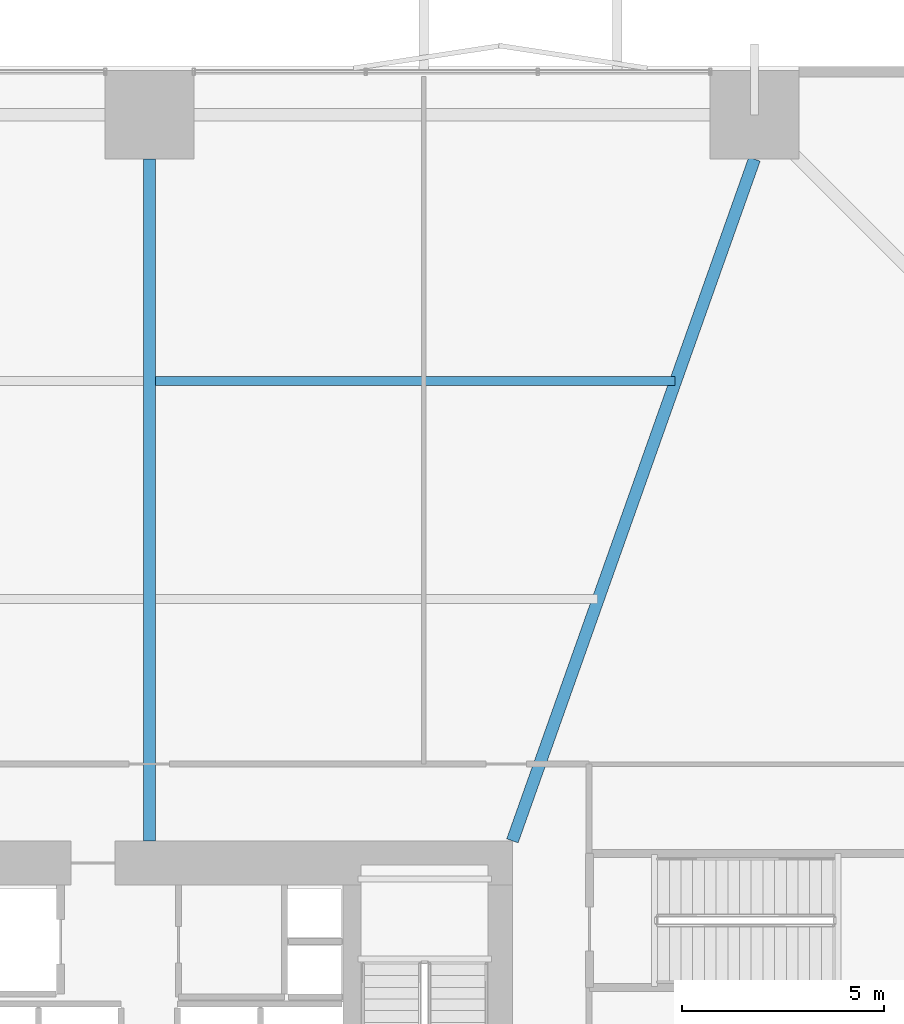
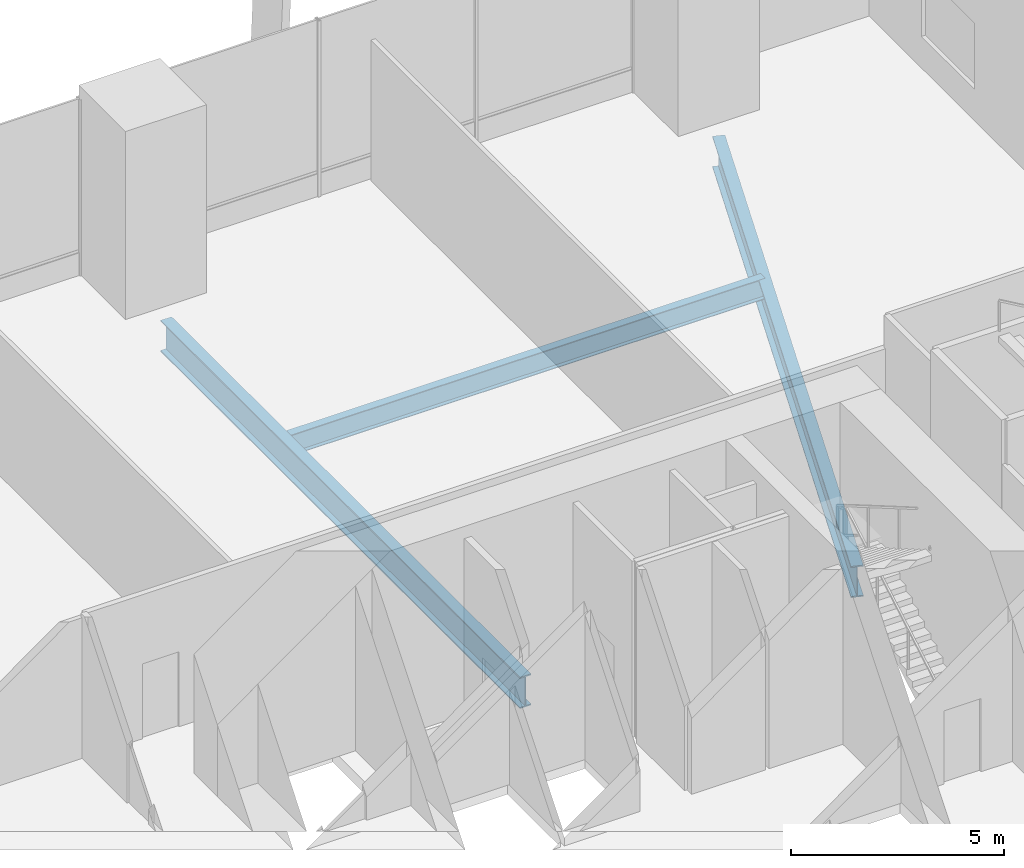
# One storey, part 16 of 24: 3 beams.
"""IFC4 building model written with IfcOpenShell, lengths in metres."""

from ifc_helpers import new_model, si_unit, direction, frame, origin, origin_2d, place, context, subcontext, project, spatial, i_section, extrude, material, material_profile, profile_set, type_object, element, save


model = new_model("IFC4")

# Units and contexts
model_context = context("Model", 3, precision=1e-05, world=origin(), true_north=direction((0.0, 1.0)))
body_context = subcontext(model_context, "Body", "Model", "MODEL_VIEW")
ifc_project = project(units=[si_unit("LENGTHUNIT", "METRE"), si_unit("AREAUNIT", "SQUARE_METRE"), si_unit("VOLUMEUNIT", "CUBIC_METRE"), si_unit("PLANEANGLEUNIT", "RADIAN"), si_unit("MASSUNIT", "GRAM", prefix="KILO")], contexts=[model_context])

# Site, building, storey
site_placement = place(None, origin())
site = spatial("IfcSite", under=ifc_project, at=site_placement, CompositionType="ELEMENT")
building_placement = place(site_placement, origin())
building = spatial("IfcBuilding", under=site, at=building_placement, Name="Belovzor Exchange Tower", CompositionType="ELEMENT")
storey_placement = place(building_placement, frame((0.0, 0.0, 8.39990234375)))
storey = spatial("IfcBuildingStorey", under=building, at=storey_placement, Name="L02", CompositionType="ELEMENT", Elevation=8.39990234375)

# Beams
ifc_material_1 = material(Name="Steel S460", Category="steel")
ifc_material_profile_1 = material_profile(ifc_material_1, i_section(OverallWidth=0.300048828125, OverallDepth=0.89990234375, WebThickness=0.0185546875, FlangeThickness=0.034912109375, at=origin_2d()))
ifc_profile_set_1 = profile_set([ifc_material_profile_1], Name="Steel S460")
beam_type_1 = type_object("IfcBeamType", Name="Podium Radial Clear-Span Girder HEB 900", PredefinedType="BEAM", material=ifc_profile_set_1)
beam_1_placement = place(storey_placement, frame((28.800048828125, 37.800048828125, -0.7998046875), z_axis=(0.0, 1.0, 0.0), x_axis=(-1.0, 0.0, 0.0)))
element("IfcBeam", 1, at=beam_1_placement, inside=storey, type_object=beam_type_1, Name="PG-2 Podium Radial Clear-Span Girder HEB 900", PredefinedType="BEAM", context=body_context, shape_type="SweptSolid", body=[
    extrude(i_section(OverallWidth=0.300048828125, OverallDepth=0.89990234375, WebThickness=0.0185546875, FlangeThickness=0.034912109375, at=origin_2d()), origin(), (0.0, 0.0, 1.0), 16.89990234375),
])
beam_2_placement = place(storey_placement, frame((37.800048828125, 37.800048828125, -0.7998046875), z_axis=(0.334571317861, 0.942370433144, 0.0), x_axis=(-0.942370433144, 0.334571317861, 0.0)))
element("IfcBeam", 2, at=beam_2_placement, inside=storey, type_object=beam_type_1, Name="PG-2 Podium Radial Clear-Span Girder HEB 900", PredefinedType="BEAM", context=body_context, shape_type="SweptSolid", body=[
    extrude(i_section(OverallWidth=0.300048828125, OverallDepth=0.89990234375, WebThickness=0.0185546875, FlangeThickness=0.034912109375, at=origin_2d()), origin(), (0.0, 0.0, 1.0), 17.933349609375),
])
ifc_material_2 = material(Name="Steel S355", Category="steel")
ifc_material_profile_2 = material_profile(ifc_material_2, i_section(OverallWidth=0.219970703125, OverallDepth=0.60009765625, WebThickness=0.011962890625, FlangeThickness=0.01904296875, at=origin_2d()))
ifc_profile_set_2 = profile_set([ifc_material_profile_2], Name="Steel S355")
beam_type_2 = type_object("IfcBeamType", Name="Podium Secondary Composite Floor Beam IPE 600", PredefinedType="BEAM", material=ifc_profile_set_2)
beam_3_placement = place(storey_placement, frame((28.949951171875, 49.199951171875, -0.64990234375), z_axis=(1.0, 0.0, 0.0), x_axis=(0.0, 1.0, 0.0)))
element("IfcBeam", 3, at=beam_3_placement, inside=storey, type_object=beam_type_2, Name="FB-600 Podium Secondary Composite Floor Beam IPE 600", PredefinedType="BEAM", context=body_context, shape_type="SweptSolid", body=[
    extrude(i_section(OverallWidth=0.219970703125, OverallDepth=0.60009765625, WebThickness=0.011962890625, FlangeThickness=0.01904296875, at=origin_2d()), origin(), (0.0, 0.0, 1.0), 12.876953125),
])

save(model, "model.ifc")
